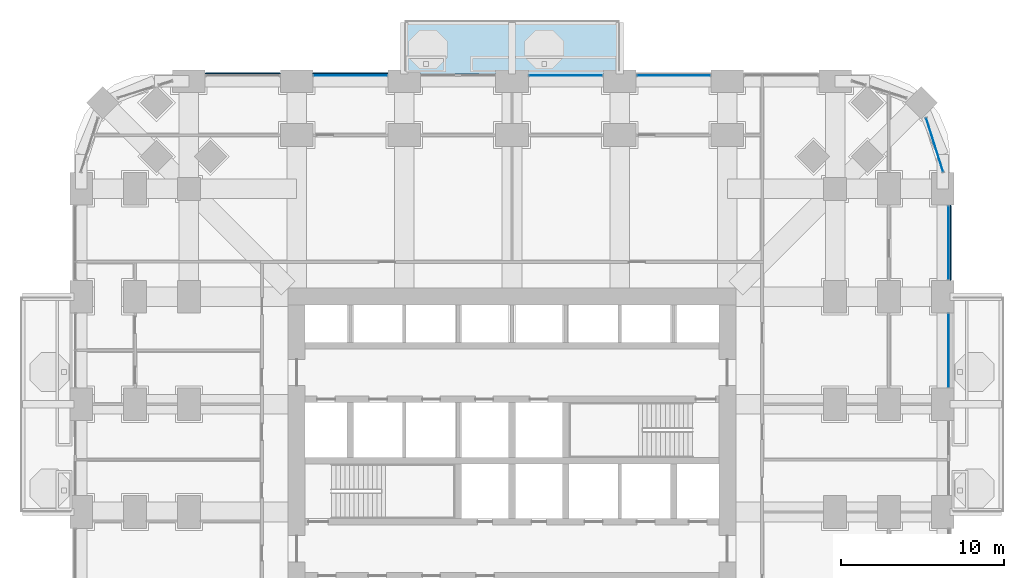
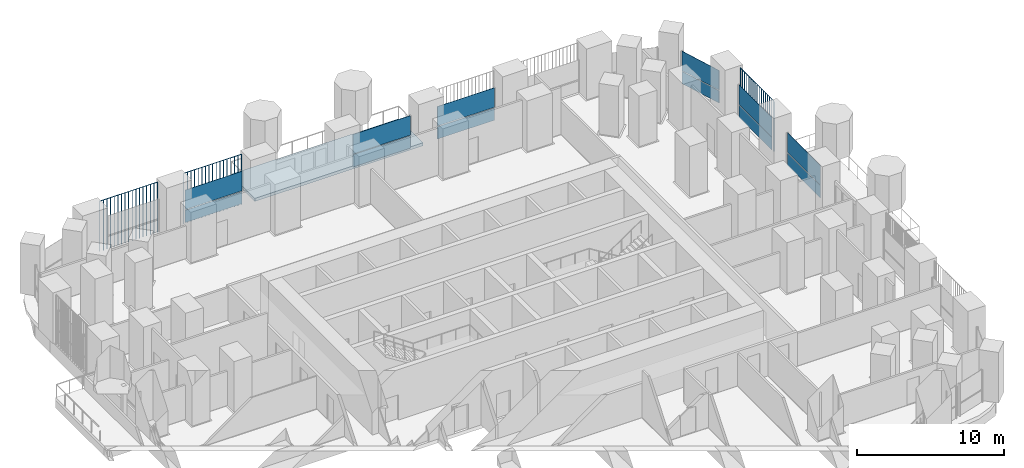
# One storey, part 14 of 24: 15 plates, 1 slab, 6 elements without a shape of their own.
"""IFC4 building model written with IfcOpenShell, lengths in metres."""

from ifc_helpers import new_model, si_unit, direction, frame, origin, origin_2d, place, context, subcontext, project, spatial, polyline, rectangle, outline, extrude, material, layer, layer_set, type_object, element, aggregate, save


model = new_model("IFC4")

# Units and contexts
model_context = context("Model", 3, precision=1e-05, world=origin(), true_north=direction((0.0, 1.0)))
body_context = subcontext(model_context, "Body", "Model", "MODEL_VIEW")
ifc_project = project(units=[si_unit("LENGTHUNIT", "METRE"), si_unit("AREAUNIT", "SQUARE_METRE"), si_unit("VOLUMEUNIT", "CUBIC_METRE"), si_unit("PLANEANGLEUNIT", "RADIAN"), si_unit("MASSUNIT", "GRAM", prefix="KILO")], contexts=[model_context])

# Site, building, storey
site_placement = place(None, origin())
site = spatial("IfcSite", under=ifc_project, at=site_placement, CompositionType="ELEMENT")
building_placement = place(site_placement, origin())
building = spatial("IfcBuilding", under=site, at=building_placement, Name="Cobogo Forest Laboratory Tower", CompositionType="ELEMENT")
storey_placement = place(building_placement, frame((0.0, 0.0, 17.10009765625)))
storey = spatial("IfcBuildingStorey", under=building, at=storey_placement, Name="L03", CompositionType="ELEMENT", Elevation=17.10009765625)

# Slab
ifc_material_1 = material(Name="Concrete HA-40 (C40/50)", Category="concrete")
ifc_layer_1 = layer(ifc_material_1, 0.25)
ifc_layer_set_1 = layer_set([ifc_layer_1], Name="Balcony slab 250")
slab_type = type_object("IfcSlabType", Name="Balcony slab 250", PredefinedType="FLOOR", material=ifc_layer_set_1)
slab_placement = place(storey_placement, frame((0.0, 0.0, -0.25)))
element("IfcSlab", 1, at=slab_placement, inside=storey, type_object=slab_type, Name="Balcony BAL-N1 L03", PredefinedType="FLOOR", context=body_context, shape_type="SweptSolid", body=[
    extrude(outline(polyline([(19.800048828125, 46.64990234375), (33.0, 46.64990234375), (33.0, 49.949951171875), (19.800048828125, 49.949951171875), (19.800048828125, 46.64990234375)])), origin(), (0.0, 0.0, 1.0), 0.25),
])

# Curtain wall, plates
ifc_material_2 = material(Name="Aluminium curtain wall", Category="aluminium")
curtain_wall_type = type_object("IfcCurtainWallType", Name="CW-1 unitised curtain wall, clear glazing, laboratory floors zones A and B", PredefinedType="USERDEFINED", material=ifc_material_2)
curtain_wall_1_placement = place(storey_placement, origin())
curtain_wall_1 = element("IfcCurtainWall", 2, at=curtain_wall_1_placement, inside=storey, type_object=curtain_wall_type, Name="Curtain wall 13 L03", ObjectType="UNITISED CURTAIN WALL", PredefinedType="USERDEFINED")
ifc_material_3 = material(Name="Clear insulated glass", Category="glass")
ifc_layer_2 = layer(ifc_material_3, 0.028076171875)
ifc_layer_set_2 = layer_set([ifc_layer_2], Name="GP-1 clear insulated glass unit 28")
plate_type_1 = type_object("IfcPlateType", Name="GP-1 clear insulated glass unit 28", PredefinedType="CURTAIN_PANEL", material=ifc_layer_set_2)
plate_1_placement = place(storey_placement, frame((53.14990234375, 29.699951171875, 0.0), z_axis=(0.0, 0.0, 1.0), x_axis=(0.0, 1.0, 0.0)))
plate_1 = element("IfcPlate", 3, at=plate_1_placement, type_object=plate_type_1, Name="CW-1 panel 1.1", PredefinedType="CURTAIN_PANEL", context=body_context, shape_type="SweptSolid", body=[
    extrude(rectangle(XDim=4.47998046875, YDim=0.028076171875, at=origin_2d()), origin(), (0.0, 0.0, 1.0), 1.02001953125),
])
plate_2_placement = place(storey_placement, frame((53.14990234375, 29.699951171875, 1.079833984375), z_axis=(0.0, 0.0, 1.0), x_axis=(0.0, 1.0, 0.0)))
plate_2 = element("IfcPlate", 4, at=plate_2_placement, type_object=plate_type_1, Name="CW-1 panel 1.2", PredefinedType="CURTAIN_PANEL", context=body_context, shape_type="SweptSolid", body=[
    extrude(rectangle(XDim=4.47998046875, YDim=0.028076171875, at=origin_2d()), origin(), (0.0, 0.0, 1.0), 1.6201171875),
])
aggregate(curtain_wall_1, [plate_1, plate_2])

curtain_wall_2_placement = place(storey_placement, origin())
curtain_wall_2 = element("IfcCurtainWall", 5, at=curtain_wall_2_placement, inside=storey, type_object=curtain_wall_type, Name="Curtain wall 14 L03", ObjectType="UNITISED CURTAIN WALL", PredefinedType="USERDEFINED")
plate_3_placement = place(storey_placement, frame((53.14990234375, 36.300048828125, 0.0), z_axis=(0.0, 0.0, 1.0), x_axis=(0.0, 1.0, 0.0)))
plate_3 = element("IfcPlate", 6, at=plate_3_placement, type_object=plate_type_1, Name="CW-1 panel 1.1", PredefinedType="CURTAIN_PANEL", context=body_context, shape_type="SweptSolid", body=[
    extrude(rectangle(XDim=4.47998046875, YDim=0.028076171875, at=origin_2d()), origin(), (0.0, 0.0, 1.0), 1.02001953125),
])
plate_4_placement = place(storey_placement, frame((53.14990234375, 36.300048828125, 1.079833984375), z_axis=(0.0, 0.0, 1.0), x_axis=(0.0, 1.0, 0.0)))
plate_4 = element("IfcPlate", 7, at=plate_4_placement, type_object=plate_type_1, Name="CW-1 panel 1.2", PredefinedType="CURTAIN_PANEL", context=body_context, shape_type="SweptSolid", body=[
    extrude(rectangle(XDim=4.47998046875, YDim=0.028076171875, at=origin_2d()), origin(), (0.0, 0.0, 1.0), 1.6201171875),
])
aggregate(curtain_wall_2, [plate_3, plate_4])

curtain_wall_3_placement = place(storey_placement, origin())
curtain_wall_3 = element("IfcCurtainWall", 8, at=curtain_wall_3_placement, inside=storey, type_object=curtain_wall_type, Name="Curtain wall 15 L03", ObjectType="UNITISED CURTAIN WALL", PredefinedType="USERDEFINED")
plate_5_placement = place(storey_placement, frame((52.299072265625, 42.294921875, 0.0), z_axis=(0.0, 0.0, 1.0), x_axis=(-0.301135433696, 0.953581381201, 0.0)))
plate_5 = element("IfcPlate", 9, at=plate_5_placement, type_object=plate_type_1, Name="CW-1 panel 1.1", PredefinedType="CURTAIN_PANEL", context=body_context, shape_type="SweptSolid", body=[
    extrude(rectangle(XDim=3.434814453125, YDim=0.028076171875, at=origin_2d()), origin(), (0.0, 0.0, 1.0), 1.02001953125),
])
plate_6_placement = place(storey_placement, frame((52.299072265625, 42.294921875, 1.079833984375), z_axis=(0.0, 0.0, 1.0), x_axis=(-0.301135433696, 0.953581381201, 0.0)))
plate_6 = element("IfcPlate", 10, at=plate_6_placement, type_object=plate_type_1, Name="CW-1 panel 1.2", PredefinedType="CURTAIN_PANEL", context=body_context, shape_type="SweptSolid", body=[
    extrude(rectangle(XDim=3.434814453125, YDim=0.028076171875, at=origin_2d()), origin(), (0.0, 0.0, 1.0), 1.6201171875),
])
aggregate(curtain_wall_3, [plate_5, plate_6])

curtain_wall_4_placement = place(storey_placement, origin())
curtain_wall_4 = element("IfcCurtainWall", 11, at=curtain_wall_4_placement, inside=storey, type_object=curtain_wall_type, Name="Curtain wall 19 L03", ObjectType="UNITISED CURTAIN WALL", PredefinedType="USERDEFINED")
plate_7_placement = place(storey_placement, frame((36.300048828125, 46.550048828125, 0.0), z_axis=(0.0, 0.0, 1.0), x_axis=(-1.0, 0.0, 0.0)))
plate_7 = element("IfcPlate", 12, at=plate_7_placement, type_object=plate_type_1, Name="CW-1 panel 1.1", PredefinedType="CURTAIN_PANEL", context=body_context, shape_type="SweptSolid", body=[
    extrude(rectangle(XDim=4.47998046875, YDim=0.028076171875, at=origin_2d()), origin(), (0.0, 0.0, 1.0), 1.02001953125),
])
plate_8_placement = place(storey_placement, frame((36.300048828125, 46.550048828125, 1.079833984375), z_axis=(0.0, 0.0, 1.0), x_axis=(-1.0, 0.0, 0.0)))
plate_8 = element("IfcPlate", 13, at=plate_8_placement, type_object=plate_type_1, Name="CW-1 panel 1.2", PredefinedType="CURTAIN_PANEL", context=body_context, shape_type="SweptSolid", body=[
    extrude(rectangle(XDim=4.47998046875, YDim=0.028076171875, at=origin_2d()), origin(), (0.0, 0.0, 1.0), 1.6201171875),
])
aggregate(curtain_wall_4, [plate_7, plate_8])

curtain_wall_5_placement = place(storey_placement, origin())
curtain_wall_5 = element("IfcCurtainWall", 14, at=curtain_wall_5_placement, inside=storey, type_object=curtain_wall_type, Name="Curtain wall 20 L03", ObjectType="UNITISED CURTAIN WALL", PredefinedType="USERDEFINED")
plate_9_placement = place(storey_placement, frame((29.699951171875, 46.550048828125, 0.0), z_axis=(0.0, 0.0, 1.0), x_axis=(-1.0, 0.0, 0.0)))
plate_9 = element("IfcPlate", 15, at=plate_9_placement, type_object=plate_type_1, Name="CW-1 panel 1.1", PredefinedType="CURTAIN_PANEL", context=body_context, shape_type="SweptSolid", body=[
    extrude(rectangle(XDim=4.47998046875, YDim=0.028076171875, at=origin_2d()), origin(), (0.0, 0.0, 1.0), 1.02001953125),
])
plate_10_placement = place(storey_placement, frame((29.699951171875, 46.550048828125, 1.079833984375), z_axis=(0.0, 0.0, 1.0), x_axis=(-1.0, 0.0, 0.0)))
plate_10 = element("IfcPlate", 16, at=plate_10_placement, type_object=plate_type_1, Name="CW-1 panel 1.2", PredefinedType="CURTAIN_PANEL", context=body_context, shape_type="SweptSolid", body=[
    extrude(rectangle(XDim=4.47998046875, YDim=0.028076171875, at=origin_2d()), origin(), (0.0, 0.0, 1.0), 1.6201171875),
])
aggregate(curtain_wall_5, [plate_9, plate_10])

curtain_wall_6_placement = place(storey_placement, origin())
curtain_wall_6 = element("IfcCurtainWall", 17, at=curtain_wall_6_placement, inside=storey, type_object=curtain_wall_type, Name="Curtain wall 22 L03", ObjectType="UNITISED CURTAIN WALL", PredefinedType="USERDEFINED")
plate_11_placement = place(storey_placement, frame((16.5, 46.550048828125, 0.0), z_axis=(0.0, 0.0, 1.0), x_axis=(-1.0, 0.0, 0.0)))
plate_11 = element("IfcPlate", 18, at=plate_11_placement, type_object=plate_type_1, Name="CW-1 panel 1.1", PredefinedType="CURTAIN_PANEL", context=body_context, shape_type="SweptSolid", body=[
    extrude(rectangle(XDim=4.47998046875, YDim=0.028076171875, at=origin_2d()), origin(), (0.0, 0.0, 1.0), 1.02001953125),
])
plate_12_placement = place(storey_placement, frame((16.5, 46.550048828125, 1.079833984375), z_axis=(0.0, 0.0, 1.0), x_axis=(-1.0, 0.0, 0.0)))
plate_12 = element("IfcPlate", 19, at=plate_12_placement, type_object=plate_type_1, Name="CW-1 panel 1.2", PredefinedType="CURTAIN_PANEL", context=body_context, shape_type="SweptSolid", body=[
    extrude(rectangle(XDim=4.47998046875, YDim=0.028076171875, at=origin_2d()), origin(), (0.0, 0.0, 1.0), 1.6201171875),
])
aggregate(curtain_wall_6, [plate_11, plate_12])

# Plates
ifc_material_4 = material(Name="Terracotta", Category="masonry")
plate_type_2 = type_object("IfcPlateType", Name="TB1 terracotta baguette screen", PredefinedType="USERDEFINED", material=ifc_material_4)
plate_13_placement = place(storey_placement, frame((53.27783203125, 34.03125, -0.150146484375)))
element("IfcPlate", 20, at=plate_13_placement, inside=storey, type_object=plate_type_2, Name="Baguette screen E5 L03", ObjectType="BAGUETTE SCREEN", PredefinedType="USERDEFINED", context=body_context, shape_type="SweptSolid", body=[
    extrude(outline(polyline([(0.02880859375, 0.011962890625), (0.011962890625, 0.02880859375), (-0.011962890625, 0.02880859375), (-0.02880859375, 0.011962890625), (-0.02880859375, -0.011962890625), (-0.011962890625, -0.02880859375), (0.011962890625, -0.02880859375), (0.02880859375, -0.011962890625), (0.02880859375, 0.011962890625)])), frame((0.0, 0.0, 4.168701171875), z_axis=(0.0, 1.0, 0.0), x_axis=(-1.0, 0.0, 0.0)), (0.0, 0.0, 1.0), 4.53759765625),
    extrude(outline(polyline([(0.02880859375, 0.011962890625), (0.011962890625, 0.02880859375), (-0.011962890625, 0.02880859375), (-0.02880859375, 0.011962890625), (-0.02880859375, -0.011962890625), (-0.011962890625, -0.02880859375), (0.011962890625, -0.02880859375), (0.02880859375, -0.011962890625), (0.02880859375, 0.011962890625)])), origin(), (0.0, 0.0, 1.0), 4.137451171875),
    extrude(outline(polyline([(0.02880859375, 0.011962890625), (0.011962890625, 0.02880859375), (-0.011962890625, 0.02880859375), (-0.02880859375, 0.011962890625), (-0.02880859375, -0.011962890625), (-0.011962890625, -0.02880859375), (0.011962890625, -0.02880859375), (0.02880859375, -0.011962890625), (0.02880859375, 0.011962890625)])), frame((0.0, 0.28369140625, 0.0)), (0.0, 0.0, 1.0), 4.137451171875),
    extrude(outline(polyline([(0.02880859375, 0.011962890625), (0.011962890625, 0.02880859375), (-0.011962890625, 0.02880859375), (-0.02880859375, 0.011962890625), (-0.02880859375, -0.011962890625), (-0.011962890625, -0.02880859375), (0.011962890625, -0.02880859375), (0.02880859375, -0.011962890625), (0.02880859375, 0.011962890625)])), frame((0.0, 0.567138671875, 0.0)), (0.0, 0.0, 1.0), 4.137451171875),
    extrude(outline(polyline([(0.02880859375, 0.011962890625), (0.011962890625, 0.02880859375), (-0.011962890625, 0.02880859375), (-0.02880859375, 0.011962890625), (-0.02880859375, -0.011962890625), (-0.011962890625, -0.02880859375), (0.011962890625, -0.02880859375), (0.02880859375, -0.011962890625), (0.02880859375, 0.011962890625)])), frame((0.0, 0.850830078125, 0.0)), (0.0, 0.0, 1.0), 4.137451171875),
    extrude(outline(polyline([(0.02880859375, 0.011962890625), (0.011962890625, 0.02880859375), (-0.011962890625, 0.02880859375), (-0.02880859375, 0.011962890625), (-0.02880859375, -0.011962890625), (-0.011962890625, -0.02880859375), (0.011962890625, -0.02880859375), (0.02880859375, -0.011962890625), (0.02880859375, 0.011962890625)])), frame((0.0, 1.13427734375, 0.0)), (0.0, 0.0, 1.0), 4.137451171875),
    extrude(outline(polyline([(0.02880859375, 0.011962890625), (0.011962890625, 0.02880859375), (-0.011962890625, 0.02880859375), (-0.02880859375, 0.011962890625), (-0.02880859375, -0.011962890625), (-0.011962890625, -0.02880859375), (0.011962890625, -0.02880859375), (0.02880859375, -0.011962890625), (0.02880859375, 0.011962890625)])), frame((0.0, 1.41796875, 0.0)), (0.0, 0.0, 1.0), 4.137451171875),
    extrude(outline(polyline([(0.02880859375, 0.011962890625), (0.011962890625, 0.02880859375), (-0.011962890625, 0.02880859375), (-0.02880859375, 0.011962890625), (-0.02880859375, -0.011962890625), (-0.011962890625, -0.02880859375), (0.011962890625, -0.02880859375), (0.02880859375, -0.011962890625), (0.02880859375, 0.011962890625)])), frame((0.0, 1.70166015625, 0.0)), (0.0, 0.0, 1.0), 4.137451171875),
    extrude(outline(polyline([(0.02880859375, 0.011962890625), (0.011962890625, 0.02880859375), (-0.011962890625, 0.02880859375), (-0.02880859375, 0.011962890625), (-0.02880859375, -0.011962890625), (-0.011962890625, -0.02880859375), (0.011962890625, -0.02880859375), (0.02880859375, -0.011962890625), (0.02880859375, 0.011962890625)])), frame((0.0, 1.985107421875, 0.0)), (0.0, 0.0, 1.0), 4.137451171875),
    extrude(outline(polyline([(0.02880859375, 0.011962890625), (0.011962890625, 0.02880859375), (-0.011962890625, 0.02880859375), (-0.02880859375, 0.011962890625), (-0.02880859375, -0.011962890625), (-0.011962890625, -0.02880859375), (0.011962890625, -0.02880859375), (0.02880859375, -0.011962890625), (0.02880859375, 0.011962890625)])), frame((0.0, 2.268798828125, 0.0)), (0.0, 0.0, 1.0), 4.137451171875),
    extrude(outline(polyline([(0.02880859375, 0.011962890625), (0.011962890625, 0.02880859375), (-0.011962890625, 0.02880859375), (-0.02880859375, 0.011962890625), (-0.02880859375, -0.011962890625), (-0.011962890625, -0.02880859375), (0.011962890625, -0.02880859375), (0.02880859375, -0.011962890625), (0.02880859375, 0.011962890625)])), frame((0.0, 2.552490234375, 0.0)), (0.0, 0.0, 1.0), 4.137451171875),
    extrude(outline(polyline([(0.02880859375, 0.011962890625), (0.011962890625, 0.02880859375), (-0.011962890625, 0.02880859375), (-0.02880859375, 0.011962890625), (-0.02880859375, -0.011962890625), (-0.011962890625, -0.02880859375), (0.011962890625, -0.02880859375), (0.02880859375, -0.011962890625), (0.02880859375, 0.011962890625)])), frame((0.0, 2.8359375, 0.0)), (0.0, 0.0, 1.0), 4.137451171875),
    extrude(outline(polyline([(0.02880859375, 0.011962890625), (0.011962890625, 0.02880859375), (-0.011962890625, 0.02880859375), (-0.02880859375, 0.011962890625), (-0.02880859375, -0.011962890625), (-0.011962890625, -0.02880859375), (0.011962890625, -0.02880859375), (0.02880859375, -0.011962890625), (0.02880859375, 0.011962890625)])), frame((0.0, 3.11962890625, 0.0)), (0.0, 0.0, 1.0), 4.137451171875),
    extrude(outline(polyline([(0.02880859375, 0.011962890625), (0.011962890625, 0.02880859375), (-0.011962890625, 0.02880859375), (-0.02880859375, 0.011962890625), (-0.02880859375, -0.011962890625), (-0.011962890625, -0.02880859375), (0.011962890625, -0.02880859375), (0.02880859375, -0.011962890625), (0.02880859375, 0.011962890625)])), frame((0.0, 3.4033203125, 0.0)), (0.0, 0.0, 1.0), 4.137451171875),
    extrude(outline(polyline([(0.02880859375, 0.011962890625), (0.011962890625, 0.02880859375), (-0.011962890625, 0.02880859375), (-0.02880859375, 0.011962890625), (-0.02880859375, -0.011962890625), (-0.011962890625, -0.02880859375), (0.011962890625, -0.02880859375), (0.02880859375, -0.011962890625), (0.02880859375, 0.011962890625)])), frame((0.0, 3.686767578125, 0.0)), (0.0, 0.0, 1.0), 4.137451171875),
    extrude(outline(polyline([(0.02880859375, 0.011962890625), (0.011962890625, 0.02880859375), (-0.011962890625, 0.02880859375), (-0.02880859375, 0.011962890625), (-0.02880859375, -0.011962890625), (-0.011962890625, -0.02880859375), (0.011962890625, -0.02880859375), (0.02880859375, -0.011962890625), (0.02880859375, 0.011962890625)])), frame((0.0, 3.970458984375, 0.0)), (0.0, 0.0, 1.0), 4.137451171875),
    extrude(outline(polyline([(0.02880859375, 0.011962890625), (0.011962890625, 0.02880859375), (-0.011962890625, 0.02880859375), (-0.02880859375, 0.011962890625), (-0.02880859375, -0.011962890625), (-0.011962890625, -0.02880859375), (0.011962890625, -0.02880859375), (0.02880859375, -0.011962890625), (0.02880859375, 0.011962890625)])), frame((0.0, 4.25390625, 0.0)), (0.0, 0.0, 1.0), 4.137451171875),
    extrude(outline(polyline([(0.02880859375, 0.011962890625), (0.011962890625, 0.02880859375), (-0.011962890625, 0.02880859375), (-0.02880859375, 0.011962890625), (-0.02880859375, -0.011962890625), (-0.011962890625, -0.02880859375), (0.011962890625, -0.02880859375), (0.02880859375, -0.011962890625), (0.02880859375, 0.011962890625)])), frame((0.0, 4.53759765625, 0.0)), (0.0, 0.0, 1.0), 4.137451171875),
])
plate_14_placement = place(storey_placement, frame((7.63134765625, 46.677978515625, -0.150146484375)))
element("IfcPlate", 21, at=plate_14_placement, inside=storey, type_object=plate_type_2, Name="Baguette screen N1 L03", ObjectType="BAGUETTE SCREEN", PredefinedType="USERDEFINED", context=body_context, shape_type="SweptSolid", body=[
    extrude(outline(polyline([(0.02880859375, 0.011962890625), (0.011962890625, 0.02880859375), (-0.011962890625, 0.02880859375), (-0.02880859375, 0.011962890625), (-0.02880859375, -0.011962890625), (-0.011962890625, -0.02880859375), (0.011962890625, -0.02880859375), (0.02880859375, -0.011962890625), (0.02880859375, 0.011962890625)])), frame((0.0, 0.0, 4.168701171875), z_axis=(1.0, 0.0, 0.0), x_axis=(0.0, 1.0, 0.0)), (0.0, 0.0, 1.0), 4.537353515625),
    extrude(outline(polyline([(0.02880859375, 0.011962890625), (0.011962890625, 0.02880859375), (-0.011962890625, 0.02880859375), (-0.02880859375, 0.011962890625), (-0.02880859375, -0.011962890625), (-0.011962890625, -0.02880859375), (0.011962890625, -0.02880859375), (0.02880859375, -0.011962890625), (0.02880859375, 0.011962890625)])), origin(), (0.0, 0.0, 1.0), 4.137451171875),
    extrude(outline(polyline([(0.02880859375, 0.011962890625), (0.011962890625, 0.02880859375), (-0.011962890625, 0.02880859375), (-0.02880859375, 0.011962890625), (-0.02880859375, -0.011962890625), (-0.011962890625, -0.02880859375), (0.011962890625, -0.02880859375), (0.02880859375, -0.011962890625), (0.02880859375, 0.011962890625)])), frame((0.28369140625, 0.0, 0.0)), (0.0, 0.0, 1.0), 4.137451171875),
    extrude(outline(polyline([(0.02880859375, 0.011962890625), (0.011962890625, 0.02880859375), (-0.011962890625, 0.02880859375), (-0.02880859375, 0.011962890625), (-0.02880859375, -0.011962890625), (-0.011962890625, -0.02880859375), (0.011962890625, -0.02880859375), (0.02880859375, -0.011962890625), (0.02880859375, 0.011962890625)])), frame((0.567138671875, 0.0, 0.0)), (0.0, 0.0, 1.0), 4.137451171875),
    extrude(outline(polyline([(0.02880859375, 0.011962890625), (0.011962890625, 0.02880859375), (-0.011962890625, 0.02880859375), (-0.02880859375, 0.011962890625), (-0.02880859375, -0.011962890625), (-0.011962890625, -0.02880859375), (0.011962890625, -0.02880859375), (0.02880859375, -0.011962890625), (0.02880859375, 0.011962890625)])), frame((0.850830078125, 0.0, 0.0)), (0.0, 0.0, 1.0), 4.137451171875),
    extrude(outline(polyline([(0.02880859375, 0.011962890625), (0.011962890625, 0.02880859375), (-0.011962890625, 0.02880859375), (-0.02880859375, 0.011962890625), (-0.02880859375, -0.011962890625), (-0.011962890625, -0.02880859375), (0.011962890625, -0.02880859375), (0.02880859375, -0.011962890625), (0.02880859375, 0.011962890625)])), frame((1.13427734375, 0.0, 0.0)), (0.0, 0.0, 1.0), 4.137451171875),
    extrude(outline(polyline([(0.02880859375, 0.011962890625), (0.011962890625, 0.02880859375), (-0.011962890625, 0.02880859375), (-0.02880859375, 0.011962890625), (-0.02880859375, -0.011962890625), (-0.011962890625, -0.02880859375), (0.011962890625, -0.02880859375), (0.02880859375, -0.011962890625), (0.02880859375, 0.011962890625)])), frame((1.41796875, 0.0, 0.0)), (0.0, 0.0, 1.0), 4.137451171875),
    extrude(outline(polyline([(0.02880859375, 0.011962890625), (0.011962890625, 0.02880859375), (-0.011962890625, 0.02880859375), (-0.02880859375, 0.011962890625), (-0.02880859375, -0.011962890625), (-0.011962890625, -0.02880859375), (0.011962890625, -0.02880859375), (0.02880859375, -0.011962890625), (0.02880859375, 0.011962890625)])), frame((1.701416015625, 0.0, 0.0)), (0.0, 0.0, 1.0), 4.137451171875),
    extrude(outline(polyline([(0.02880859375, 0.011962890625), (0.011962890625, 0.02880859375), (-0.011962890625, 0.02880859375), (-0.02880859375, 0.011962890625), (-0.02880859375, -0.011962890625), (-0.011962890625, -0.02880859375), (0.011962890625, -0.02880859375), (0.02880859375, -0.011962890625), (0.02880859375, 0.011962890625)])), frame((1.985107421875, 0.0, 0.0)), (0.0, 0.0, 1.0), 4.137451171875),
    extrude(outline(polyline([(0.02880859375, 0.011962890625), (0.011962890625, 0.02880859375), (-0.011962890625, 0.02880859375), (-0.02880859375, 0.011962890625), (-0.02880859375, -0.011962890625), (-0.011962890625, -0.02880859375), (0.011962890625, -0.02880859375), (0.02880859375, -0.011962890625), (0.02880859375, 0.011962890625)])), frame((2.2685546875, 0.0, 0.0)), (0.0, 0.0, 1.0), 4.137451171875),
    extrude(outline(polyline([(0.02880859375, 0.011962890625), (0.011962890625, 0.02880859375), (-0.011962890625, 0.02880859375), (-0.02880859375, 0.011962890625), (-0.02880859375, -0.011962890625), (-0.011962890625, -0.02880859375), (0.011962890625, -0.02880859375), (0.02880859375, -0.011962890625), (0.02880859375, 0.011962890625)])), frame((2.55224609375, 0.0, 0.0)), (0.0, 0.0, 1.0), 4.137451171875),
    extrude(outline(polyline([(0.02880859375, 0.011962890625), (0.011962890625, 0.02880859375), (-0.011962890625, 0.02880859375), (-0.02880859375, 0.011962890625), (-0.02880859375, -0.011962890625), (-0.011962890625, -0.02880859375), (0.011962890625, -0.02880859375), (0.02880859375, -0.011962890625), (0.02880859375, 0.011962890625)])), frame((2.8359375, 0.0, 0.0)), (0.0, 0.0, 1.0), 4.137451171875),
    extrude(outline(polyline([(0.02880859375, 0.011962890625), (0.011962890625, 0.02880859375), (-0.011962890625, 0.02880859375), (-0.02880859375, 0.011962890625), (-0.02880859375, -0.011962890625), (-0.011962890625, -0.02880859375), (0.011962890625, -0.02880859375), (0.02880859375, -0.011962890625), (0.02880859375, 0.011962890625)])), frame((3.119384765625, 0.0, 0.0)), (0.0, 0.0, 1.0), 4.137451171875),
    extrude(outline(polyline([(0.02880859375, 0.011962890625), (0.011962890625, 0.02880859375), (-0.011962890625, 0.02880859375), (-0.02880859375, 0.011962890625), (-0.02880859375, -0.011962890625), (-0.011962890625, -0.02880859375), (0.011962890625, -0.02880859375), (0.02880859375, -0.011962890625), (0.02880859375, 0.011962890625)])), frame((3.403076171875, 0.0, 0.0)), (0.0, 0.0, 1.0), 4.137451171875),
    extrude(outline(polyline([(0.02880859375, 0.011962890625), (0.011962890625, 0.02880859375), (-0.011962890625, 0.02880859375), (-0.02880859375, 0.011962890625), (-0.02880859375, -0.011962890625), (-0.011962890625, -0.02880859375), (0.011962890625, -0.02880859375), (0.02880859375, -0.011962890625), (0.02880859375, 0.011962890625)])), frame((3.6865234375, 0.0, 0.0)), (0.0, 0.0, 1.0), 4.137451171875),
    extrude(outline(polyline([(0.02880859375, 0.011962890625), (0.011962890625, 0.02880859375), (-0.011962890625, 0.02880859375), (-0.02880859375, 0.011962890625), (-0.02880859375, -0.011962890625), (-0.011962890625, -0.02880859375), (0.011962890625, -0.02880859375), (0.02880859375, -0.011962890625), (0.02880859375, 0.011962890625)])), frame((3.97021484375, 0.0, 0.0)), (0.0, 0.0, 1.0), 4.137451171875),
    extrude(outline(polyline([(0.02880859375, 0.011962890625), (0.011962890625, 0.02880859375), (-0.011962890625, 0.02880859375), (-0.02880859375, 0.011962890625), (-0.02880859375, -0.011962890625), (-0.011962890625, -0.02880859375), (0.011962890625, -0.02880859375), (0.02880859375, -0.011962890625), (0.02880859375, 0.011962890625)])), frame((4.253662109375, 0.0, 0.0)), (0.0, 0.0, 1.0), 4.137451171875),
    extrude(outline(polyline([(0.02880859375, 0.011962890625), (0.011962890625, 0.02880859375), (-0.011962890625, 0.02880859375), (-0.02880859375, 0.011962890625), (-0.02880859375, -0.011962890625), (-0.011962890625, -0.02880859375), (0.011962890625, -0.02880859375), (0.02880859375, -0.011962890625), (0.02880859375, 0.011962890625)])), frame((4.537353515625, 0.0, 0.0)), (0.0, 0.0, 1.0), 4.137451171875),
])
plate_15_placement = place(storey_placement, frame((14.231201171875, 46.677978515625, -0.150146484375)))
element("IfcPlate", 22, at=plate_15_placement, inside=storey, type_object=plate_type_2, Name="Baguette screen N2 L03", ObjectType="BAGUETTE SCREEN", PredefinedType="USERDEFINED", context=body_context, shape_type="SweptSolid", body=[
    extrude(outline(polyline([(0.02880859375, 0.011962890625), (0.011962890625, 0.02880859375), (-0.011962890625, 0.02880859375), (-0.02880859375, 0.011962890625), (-0.02880859375, -0.011962890625), (-0.011962890625, -0.02880859375), (0.011962890625, -0.02880859375), (0.02880859375, -0.011962890625), (0.02880859375, 0.011962890625)])), frame((0.0, 0.0, 4.168701171875), z_axis=(1.0, 0.0, 0.0), x_axis=(0.0, 1.0, 0.0)), (0.0, 0.0, 1.0), 4.53759765625),
    extrude(outline(polyline([(0.02880859375, 0.011962890625), (0.011962890625, 0.02880859375), (-0.011962890625, 0.02880859375), (-0.02880859375, 0.011962890625), (-0.02880859375, -0.011962890625), (-0.011962890625, -0.02880859375), (0.011962890625, -0.02880859375), (0.02880859375, -0.011962890625), (0.02880859375, 0.011962890625)])), origin(), (0.0, 0.0, 1.0), 4.137451171875),
    extrude(outline(polyline([(0.02880859375, 0.011962890625), (0.011962890625, 0.02880859375), (-0.011962890625, 0.02880859375), (-0.02880859375, 0.011962890625), (-0.02880859375, -0.011962890625), (-0.011962890625, -0.02880859375), (0.011962890625, -0.02880859375), (0.02880859375, -0.011962890625), (0.02880859375, 0.011962890625)])), frame((0.28369140625, 0.0, 0.0)), (0.0, 0.0, 1.0), 4.137451171875),
    extrude(outline(polyline([(0.02880859375, 0.011962890625), (0.011962890625, 0.02880859375), (-0.011962890625, 0.02880859375), (-0.02880859375, 0.011962890625), (-0.02880859375, -0.011962890625), (-0.011962890625, -0.02880859375), (0.011962890625, -0.02880859375), (0.02880859375, -0.011962890625), (0.02880859375, 0.011962890625)])), frame((0.567138671875, 0.0, 0.0)), (0.0, 0.0, 1.0), 4.137451171875),
    extrude(outline(polyline([(0.02880859375, 0.011962890625), (0.011962890625, 0.02880859375), (-0.011962890625, 0.02880859375), (-0.02880859375, 0.011962890625), (-0.02880859375, -0.011962890625), (-0.011962890625, -0.02880859375), (0.011962890625, -0.02880859375), (0.02880859375, -0.011962890625), (0.02880859375, 0.011962890625)])), frame((0.850830078125, 0.0, 0.0)), (0.0, 0.0, 1.0), 4.137451171875),
    extrude(outline(polyline([(0.02880859375, 0.011962890625), (0.011962890625, 0.02880859375), (-0.011962890625, 0.02880859375), (-0.02880859375, 0.011962890625), (-0.02880859375, -0.011962890625), (-0.011962890625, -0.02880859375), (0.011962890625, -0.02880859375), (0.02880859375, -0.011962890625), (0.02880859375, 0.011962890625)])), frame((1.13427734375, 0.0, 0.0)), (0.0, 0.0, 1.0), 4.137451171875),
    extrude(outline(polyline([(0.02880859375, 0.011962890625), (0.011962890625, 0.02880859375), (-0.011962890625, 0.02880859375), (-0.02880859375, 0.011962890625), (-0.02880859375, -0.011962890625), (-0.011962890625, -0.02880859375), (0.011962890625, -0.02880859375), (0.02880859375, -0.011962890625), (0.02880859375, 0.011962890625)])), frame((1.41796875, 0.0, 0.0)), (0.0, 0.0, 1.0), 4.137451171875),
    extrude(outline(polyline([(0.02880859375, 0.011962890625), (0.011962890625, 0.02880859375), (-0.011962890625, 0.02880859375), (-0.02880859375, 0.011962890625), (-0.02880859375, -0.011962890625), (-0.011962890625, -0.02880859375), (0.011962890625, -0.02880859375), (0.02880859375, -0.011962890625), (0.02880859375, 0.011962890625)])), frame((1.70166015625, 0.0, 0.0)), (0.0, 0.0, 1.0), 4.137451171875),
    extrude(outline(polyline([(0.02880859375, 0.011962890625), (0.011962890625, 0.02880859375), (-0.011962890625, 0.02880859375), (-0.02880859375, 0.011962890625), (-0.02880859375, -0.011962890625), (-0.011962890625, -0.02880859375), (0.011962890625, -0.02880859375), (0.02880859375, -0.011962890625), (0.02880859375, 0.011962890625)])), frame((1.985107421875, 0.0, 0.0)), (0.0, 0.0, 1.0), 4.137451171875),
    extrude(outline(polyline([(0.02880859375, 0.011962890625), (0.011962890625, 0.02880859375), (-0.011962890625, 0.02880859375), (-0.02880859375, 0.011962890625), (-0.02880859375, -0.011962890625), (-0.011962890625, -0.02880859375), (0.011962890625, -0.02880859375), (0.02880859375, -0.011962890625), (0.02880859375, 0.011962890625)])), frame((2.268798828125, 0.0, 0.0)), (0.0, 0.0, 1.0), 4.137451171875),
    extrude(outline(polyline([(0.02880859375, 0.011962890625), (0.011962890625, 0.02880859375), (-0.011962890625, 0.02880859375), (-0.02880859375, 0.011962890625), (-0.02880859375, -0.011962890625), (-0.011962890625, -0.02880859375), (0.011962890625, -0.02880859375), (0.02880859375, -0.011962890625), (0.02880859375, 0.011962890625)])), frame((2.552490234375, 0.0, 0.0)), (0.0, 0.0, 1.0), 4.137451171875),
    extrude(outline(polyline([(0.02880859375, 0.011962890625), (0.011962890625, 0.02880859375), (-0.011962890625, 0.02880859375), (-0.02880859375, 0.011962890625), (-0.02880859375, -0.011962890625), (-0.011962890625, -0.02880859375), (0.011962890625, -0.02880859375), (0.02880859375, -0.011962890625), (0.02880859375, 0.011962890625)])), frame((2.8359375, 0.0, 0.0)), (0.0, 0.0, 1.0), 4.137451171875),
    extrude(outline(polyline([(0.02880859375, 0.011962890625), (0.011962890625, 0.02880859375), (-0.011962890625, 0.02880859375), (-0.02880859375, 0.011962890625), (-0.02880859375, -0.011962890625), (-0.011962890625, -0.02880859375), (0.011962890625, -0.02880859375), (0.02880859375, -0.011962890625), (0.02880859375, 0.011962890625)])), frame((3.11962890625, 0.0, 0.0)), (0.0, 0.0, 1.0), 4.137451171875),
    extrude(outline(polyline([(0.02880859375, 0.011962890625), (0.011962890625, 0.02880859375), (-0.011962890625, 0.02880859375), (-0.02880859375, 0.011962890625), (-0.02880859375, -0.011962890625), (-0.011962890625, -0.02880859375), (0.011962890625, -0.02880859375), (0.02880859375, -0.011962890625), (0.02880859375, 0.011962890625)])), frame((3.4033203125, 0.0, 0.0)), (0.0, 0.0, 1.0), 4.137451171875),
    extrude(outline(polyline([(0.02880859375, 0.011962890625), (0.011962890625, 0.02880859375), (-0.011962890625, 0.02880859375), (-0.02880859375, 0.011962890625), (-0.02880859375, -0.011962890625), (-0.011962890625, -0.02880859375), (0.011962890625, -0.02880859375), (0.02880859375, -0.011962890625), (0.02880859375, 0.011962890625)])), frame((3.686767578125, 0.0, 0.0)), (0.0, 0.0, 1.0), 4.137451171875),
    extrude(outline(polyline([(0.02880859375, 0.011962890625), (0.011962890625, 0.02880859375), (-0.011962890625, 0.02880859375), (-0.02880859375, 0.011962890625), (-0.02880859375, -0.011962890625), (-0.011962890625, -0.02880859375), (0.011962890625, -0.02880859375), (0.02880859375, -0.011962890625), (0.02880859375, 0.011962890625)])), frame((3.970458984375, 0.0, 0.0)), (0.0, 0.0, 1.0), 4.137451171875),
    extrude(outline(polyline([(0.02880859375, 0.011962890625), (0.011962890625, 0.02880859375), (-0.011962890625, 0.02880859375), (-0.02880859375, 0.011962890625), (-0.02880859375, -0.011962890625), (-0.011962890625, -0.02880859375), (0.011962890625, -0.02880859375), (0.02880859375, -0.011962890625), (0.02880859375, 0.011962890625)])), frame((4.25390625, 0.0, 0.0)), (0.0, 0.0, 1.0), 4.137451171875),
    extrude(outline(polyline([(0.02880859375, 0.011962890625), (0.011962890625, 0.02880859375), (-0.011962890625, 0.02880859375), (-0.02880859375, 0.011962890625), (-0.02880859375, -0.011962890625), (-0.011962890625, -0.02880859375), (0.011962890625, -0.02880859375), (0.02880859375, -0.011962890625), (0.02880859375, 0.011962890625)])), frame((4.53759765625, 0.0, 0.0)), (0.0, 0.0, 1.0), 4.137451171875),
])

save(model, "model.ifc")
